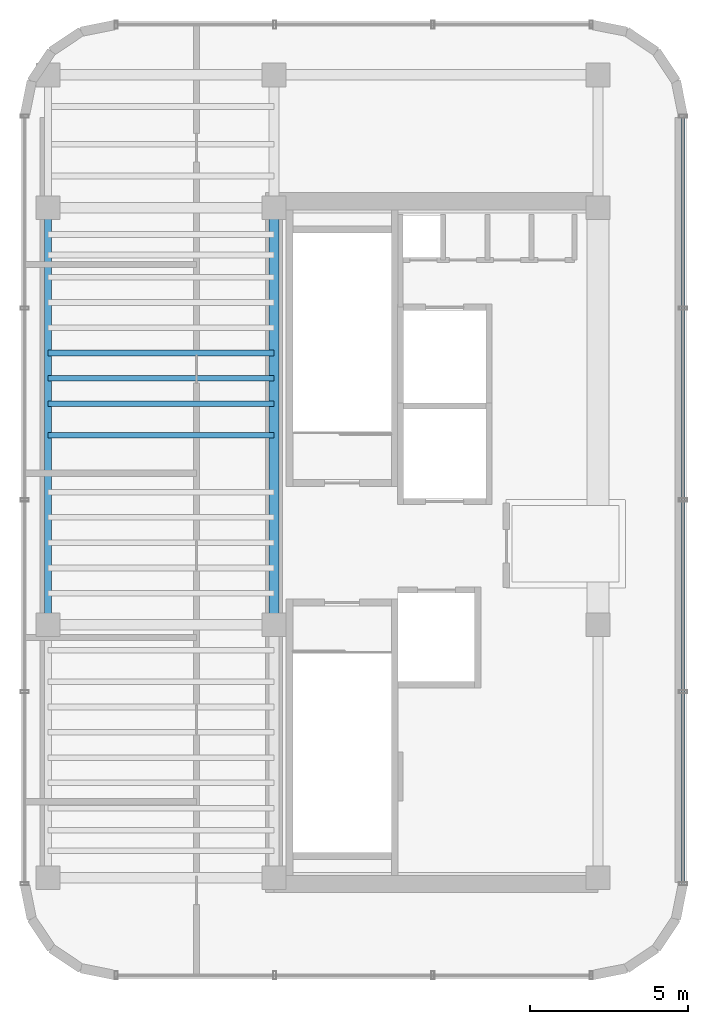
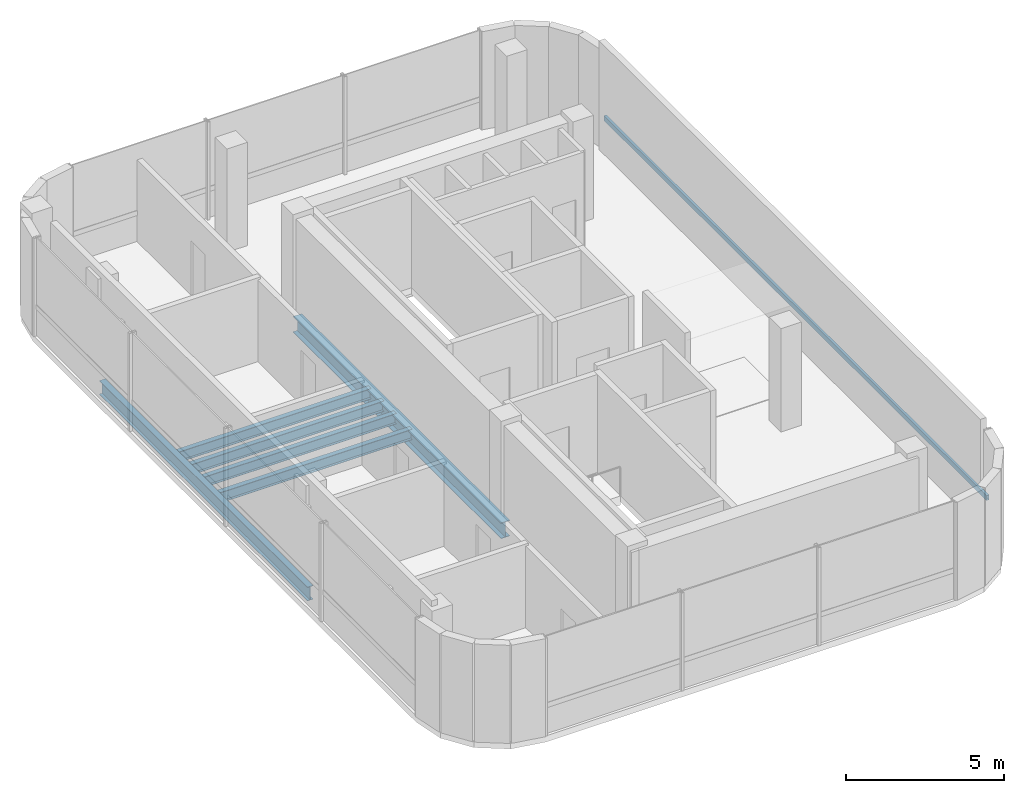
# One storey, part 6 of 11: 6 beams, 1 member, 1 element without a shape of its own.
"""IFC4 building model written with IfcOpenShell, lengths in metres."""

from ifc_helpers import new_model, si_unit, direction, frame, origin, origin_2d, place, context, subcontext, project, spatial, hollow_rectangle, i_section, extrude, source, transform, mapped, material, material_profile, profile_set, type_object, element, aggregate, save


model = new_model("IFC4")

# Units and contexts
model_context = context("Model", 3, precision=1e-05, world=origin(), true_north=direction((0.0, 1.0)))
body_context = subcontext(model_context, "Body", "Model", "MODEL_VIEW")
ifc_project = project(units=[si_unit("LENGTHUNIT", "METRE"), si_unit("AREAUNIT", "SQUARE_METRE"), si_unit("VOLUMEUNIT", "CUBIC_METRE"), si_unit("PLANEANGLEUNIT", "RADIAN"), si_unit("MASSUNIT", "GRAM", prefix="KILO")], contexts=[model_context])

# Site, building, storey
site_placement = place(None, origin())
site = spatial("IfcSite", under=ifc_project, at=site_placement, CompositionType="ELEMENT")
building_placement = place(site_placement, origin())
building = spatial("IfcBuilding", under=site, at=building_placement, Name="Valdorenza Pilgrim Sanctuary Tower", CompositionType="ELEMENT")
storey_placement = place(building_placement, frame((0.0, 0.0, 303.60009765625)))
storey = spatial("IfcBuildingStorey", under=building, at=storey_placement, Name="L79", CompositionType="ELEMENT", Elevation=303.60009765625)

# Beams
ifc_material_1 = material(Name="Steel ASTM A992 Grade 50", Category="steel")
ifc_material_profile_1 = material_profile(ifc_material_1, i_section(OverallWidth=0.323974609375, OverallDepth=0.611083984375, WebThickness=0.0126953125, FlangeThickness=0.01904296875, at=origin_2d()), Name="W24X104")
ifc_profile_set_1 = profile_set([ifc_material_profile_1], Name="Steel ASTM A992 Grade 50")
beam_type_1 = type_object("IfcBeamType", Name="STR-BM-GRD-W24B", PredefinedType="BEAM", material=ifc_profile_set_1)
shared_shape_1 = source(origin(), body_context, "Body", "SweptSolid", [
    extrude(i_section(OverallWidth=0.323974609375, OverallDepth=0.611083984375, WebThickness=0.0126953125, FlangeThickness=0.01904296875, at=origin_2d()), origin(), (0.0, 0.0, 1.0), 13.2001953125),
])
beam_1_placement = place(storey_placement, frame((-22.64990234375, -2.60009765625, -0.545654296875), z_axis=(0.0, 1.0, 0.0), x_axis=(-1.0, 0.0, 0.0)))
element("IfcBeam", 1, at=beam_1_placement, inside=storey, type_object=beam_type_1, Name="L79 Core Tie Girder CA-W-M0N1", PredefinedType="BEAM", context=body_context, shape_type="MappedRepresentation", body=[
    mapped(shared_shape_1, transform((0.0, 0.0, 0.0), x_axis=(1.0, 0.0, 0.0), y_axis=(0.0, 1.0, 0.0), z_axis=(0.0, 0.0, 1.0), scale=1.0)),
])
ifc_material_profile_2 = material_profile(ifc_material_1, i_section(OverallWidth=0.2109375, OverallDepth=0.5390625, WebThickness=0.01171875, FlangeThickness=0.018798828125, at=origin_2d()), Name="W21X73")
ifc_profile_set_2 = profile_set([ifc_material_profile_2], Name="Steel ASTM A992 Grade 50")
beam_type_2 = type_object("IfcBeamType", Name="STR-BM-SPN-W21B", PredefinedType="SPANDREL", material=ifc_profile_set_2)
shared_shape_2 = source(origin(), body_context, "Body", "SweptSolid", [
    extrude(i_section(OverallWidth=0.2109375, OverallDepth=0.5390625, WebThickness=0.01171875, FlangeThickness=0.018798828125, at=origin_2d()), origin(), (0.0, 0.0, 1.0), 13.2001953125),
])
beam_2_placement = place(storey_placement, frame((-29.800048828125, -2.60009765625, -0.509521484375), z_axis=(0.0, 1.0, 0.0), x_axis=(-1.0, 0.0, 0.0)))
element("IfcBeam", 2, at=beam_2_placement, inside=storey, type_object=beam_type_2, Name="L79 Spandrel Beam WA-W-M0N1", PredefinedType="SPANDREL", context=body_context, shape_type="MappedRepresentation", body=[
    mapped(shared_shape_2, transform((0.0, 0.0, 0.0), x_axis=(1.0, 0.0, 0.0), y_axis=(0.0, 1.0, 0.0), z_axis=(0.0, 0.0, 1.0), scale=1.0)),
])
ifc_material_profile_3 = material_profile(ifc_material_1, i_section(OverallWidth=0.177978515625, OverallDepth=0.406005859375, WebThickness=0.0078125, FlangeThickness=0.0126953125, at=origin_2d()), Name="W16X40")
ifc_profile_set_3 = profile_set([ifc_material_profile_3], Name="Steel ASTM A992 Grade 50")
beam_type_3 = type_object("IfcBeamType", Name="STR-BM-JST-W16", PredefinedType="JOIST", material=ifc_profile_set_3)
shared_shape_3 = source(origin(), body_context, "Body", "SweptSolid", [
    extrude(i_section(OverallWidth=0.177978515625, OverallDepth=0.406005859375, WebThickness=0.0078125, FlangeThickness=0.0126953125, at=origin_2d()), origin(), (0.0, 0.0, 1.0), 7.150146484375),
])
for number, where, z_axis, x_axis, name in (
    (3, (-29.800048828125, 3.39990234375, -0.443115234375), (1.0, 0.0, 0.0), (0.0, 1.0, 0.0), "L79 Composite Floor Joist JST-WA-15"),
    (4, (-29.800048828125, 4.39990234375, -0.443115234375), (1.0, 0.0, 0.0), (0.0, 1.0, 0.0), "L79 Composite Floor Joist JST-WA-16"),
    (5, (-29.800048828125, 5.199951171875, -0.443115234375), (1.0, 0.0, 0.0), (0.0, 1.0, 0.0), "L79 Composite Floor Joist JST-WA-17"),
    (6, (-29.800048828125, 6.0, -0.443115234375), (1.0, 0.0, 0.0), (0.0, 1.0, 0.0), "L79 Composite Floor Joist JST-WA-18"),
):
    element("IfcBeam", number, at=place(storey_placement, frame(where, z_axis=z_axis, x_axis=x_axis)), inside=storey, type_object=beam_type_3, Name=name, PredefinedType="JOIST", context=body_context, shape_type="MappedRepresentation", body=[
        mapped(shared_shape_3, transform((0.0, 0.0, 0.0), x_axis=(1.0, 0.0, 0.0), y_axis=(0.0, 1.0, 0.0), z_axis=(0.0, 0.0, 1.0), scale=1.0)),
    ])

# Curtain wall, member
ifc_material_2 = material(Name="Curtain-wall IGU glazing", Category="glass")
curtain_wall_type = type_object("IfcCurtainWallType", Name="CW-SYS-06", PredefinedType="NOTDEFINED", material=ifc_material_2)
curtain_wall_placement = place(storey_placement, origin())
curtain_wall = element("IfcCurtainWall", 7, at=curtain_wall_placement, inside=storey, type_object=curtain_wall_type, Name="L79 Curtain Wall CW-L79-1-11", PredefinedType="NOTDEFINED")
ifc_material_3 = material(Name="Anodised aluminium AW-6060", Category="aluminium")
ifc_material_profile_4 = material_profile(ifc_material_3, hollow_rectangle(XDim=0.090087890625, YDim=0.18994140625, WallThickness=0.00439453125, at=origin_2d()), Name="ALU-T 190x90x4.5")
ifc_profile_set_4 = profile_set([ifc_material_profile_4], Name="Anodised aluminium AW-6060")
member_type = type_object("IfcMemberType", Name="CW-TRN-06", PredefinedType="USERDEFINED", material=ifc_profile_set_4)
shared_shape_4 = source(origin(), body_context, "Body", "SweptSolid", [
    extrude(hollow_rectangle(XDim=0.090087890625, YDim=0.18994140625, WallThickness=0.00439453125, at=origin_2d()), origin(), (0.0, 0.0, 1.0), 24.278564453125),
])
member_placement = place(storey_placement, frame((-9.7099609375, 13.4892578125, 1.119873046875), z_axis=(0.0, -1.0, 0.0), x_axis=(1.0, 0.0, 0.0)))
member = element("IfcMember", 8, at=member_placement, type_object=member_type, Name="CW-L79-1-11 Transom 1", ObjectType="TRANSOM", PredefinedType="USERDEFINED", context=body_context, shape_type="MappedRepresentation", body=[
    mapped(shared_shape_4, transform((0.0, 0.0, 0.0), x_axis=(1.0, 0.0, 0.0), y_axis=(0.0, 1.0, 0.0), z_axis=(0.0, 0.0, 1.0), scale=1.0)),
])
aggregate(curtain_wall, [member])

save(model, "model.ifc")
